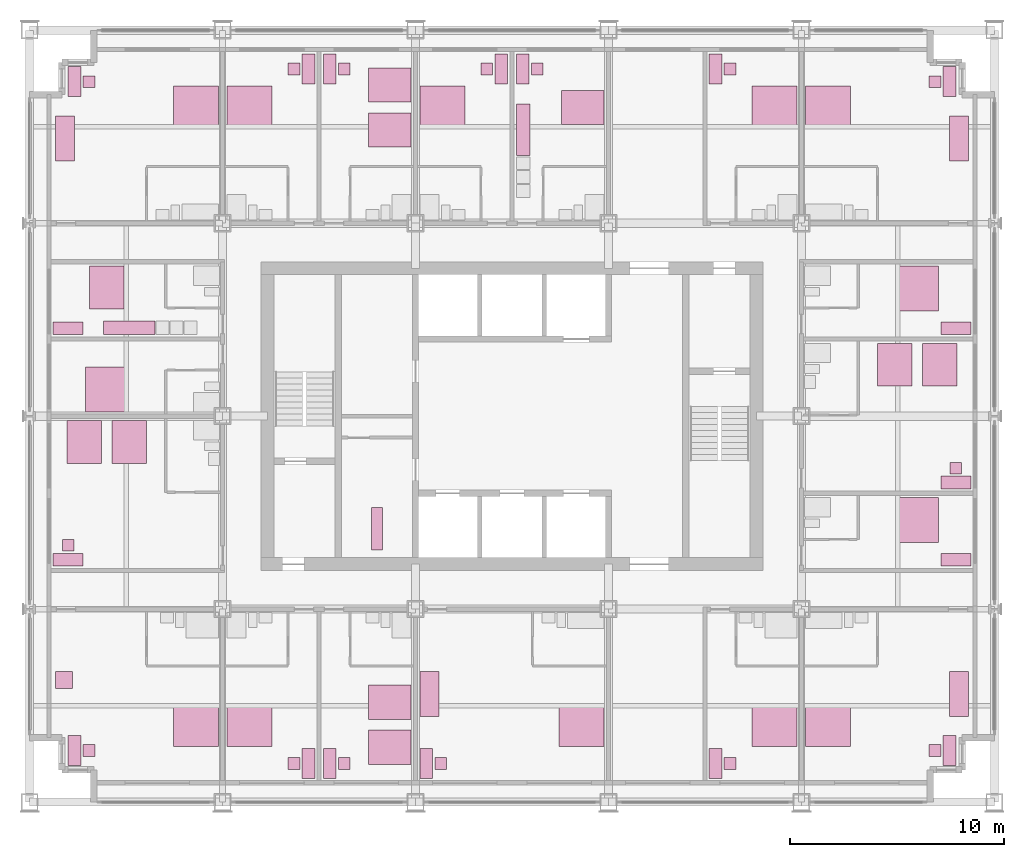
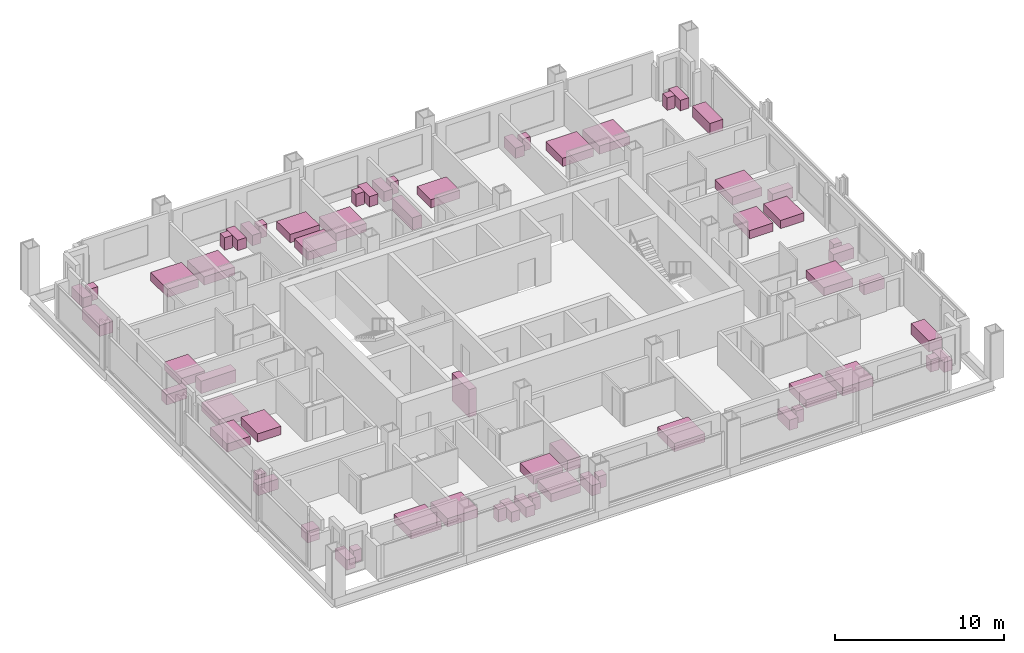
# One storey, part 17 of 17: 64 furniture elements.
"""IFC4 building model written with IfcOpenShell, lengths in metres."""

import ifcopenshell
import ifcopenshell.guid

model = None  # the IFC model being written
_history = None  # IfcOwnerHistory: only IFC2X3 demands one
_inside = {}  # id of a spatial element -> (the spatial element, [elements in it])
_under = {}  # id of a project, library or spatial element -> (it, [spatial elements below it])
_declared = {}  # id of a project -> (the project, [libraries it declares])
_typed = {}  # id of a type object -> (the type object, [elements of that type])
_made_of = {}  # id of a material, layer set ... -> (it, [elements and type objects made of it])


def new_model(schema):
    """Start an empty IFC model of exactly this schema.

    Asked for "IFC4X3", IfcOpenShell would pick the latest addendum, in which some entities
    have other attributes; the version numbers below select the first issue.
    IFC2X3 requires an IfcOwnerHistory on every rooted entity: one is made here for all.
    """
    global model, _history
    if schema == "IFC4X3":
        model = ifcopenshell.file(schema_version=(4, 3, 0, 0))
    else:
        model = ifcopenshell.file(schema=schema)
    _inside.clear()
    _under.clear()
    _declared.clear()
    _typed.clear()
    _made_of.clear()
    _history = None
    if model.schema == "IFC2X3":
        org = make("IfcOrganization", Name="unknown")
        user = make(
            "IfcPersonAndOrganization",
            ThePerson=make("IfcPerson", FamilyName="unknown"),
            TheOrganization=org,
        )
        app = make(
            "IfcApplication",
            ApplicationDeveloper=org,
            Version="unknown",
            ApplicationFullName="unknown",
            ApplicationIdentifier="unknown",
        )
        _history = make(
            "IfcOwnerHistory",
            OwningUser=user,
            OwningApplication=app,
            ChangeAction="ADDED",
            CreationDate=0,
        )
    return model


def make(cls, **values):
    """One entity of the class cls with the attributes given. An attribute that is None is left unset."""
    return model.create_entity(
        cls, **{name: value for name, value in values.items() if value is not None}
    )


def rooted(cls, **values):
    """An entity with a GlobalId (a new one), such as an element, a storey or a relation."""
    return make(cls, GlobalId=ifcopenshell.guid.new(), OwnerHistory=_history, **values)


def si_unit(unit_type, name, prefix=None):
    """IfcSIUnit, for example si_unit("LENGTHUNIT", "METRE", prefix="MILLI")."""
    return make("IfcSIUnit", UnitType=unit_type, Prefix=prefix, Name=name)


def assignment(units):
    """IfcUnitAssignment: the units of a project."""
    return None if units is None else make("IfcUnitAssignment", Units=units)


def point(xyz):
    """IfcCartesianPoint."""
    return None if xyz is None else make("IfcCartesianPoint", Coordinates=xyz)


def direction(xyz):
    """IfcDirection."""
    return None if xyz is None else make("IfcDirection", DirectionRatios=xyz)


def frame(location, z_axis=None, x_axis=None):
    """IfcAxis2Placement3D, a coordinate frame: its origin and axes. An axis left out is left unset."""
    return make(
        "IfcAxis2Placement3D",
        Location=point(location),
        Axis=direction(z_axis),
        RefDirection=direction(x_axis),
    )


def frame_2d(location, x_axis=None):
    """IfcAxis2Placement2D, a coordinate frame in the plane: its origin and x axis."""
    return make(
        "IfcAxis2Placement2D", Location=point(location), RefDirection=direction(x_axis)
    )


def origin():
    """The frame at (0, 0, 0) with its axes left unset."""
    return frame((0.0, 0.0, 0.0))


def origin_2d():
    """The frame at (0, 0) in the plane with its x axis left unset."""
    return frame_2d((0.0, 0.0))


def place(relative_to, where):
    """IfcLocalPlacement: puts the frame where relative to a parent placement (None: the world)."""
    return make(
        "IfcLocalPlacement", PlacementRelTo=relative_to, RelativePlacement=where
    )


def context(
    kind, dimensions, precision=None, world=None, true_north=None, identifier=None
):
    """IfcGeometricRepresentationContext, for example the 3D "Model" context."""
    return make(
        "IfcGeometricRepresentationContext",
        ContextIdentifier=identifier,
        ContextType=kind,
        CoordinateSpaceDimension=dimensions,
        Precision=precision,
        WorldCoordinateSystem=world,
        TrueNorth=true_north,
    )


def subcontext(parent, identifier, kind, view, scale=None):
    """IfcGeometricRepresentationSubContext, for example "Body" below "Model"."""
    return make(
        "IfcGeometricRepresentationSubContext",
        ContextIdentifier=identifier,
        ContextType=kind,
        ParentContext=parent,
        TargetScale=scale,
        TargetView=view,
    )


def project(units=None, contexts=None):
    """IfcProject with its units and contexts."""
    return rooted(
        "IfcProject",
        Name="project",
        RepresentationContexts=contexts,
        UnitsInContext=assignment(units),
    )


def spatial(cls, under=None, at=None, **own):
    """A site, building, storey or space (cls), placed at a placement, below another one or the project."""
    s = rooted(cls, ObjectPlacement=at, **own)
    if under is not None:
        _under.setdefault(under.id(), (under, []))[1].append(s)
    return s


def profile(cls, at=None, kind="AREA", **sizes):
    """A parametric profile (cls). Its sizes go by their IFC names, for example OverallWidth=200.0."""
    return make(cls, ProfileType=kind, Position=at, **sizes)


def rectangle(**sizes):
    """IfcRectangleProfileDef."""
    return profile("IfcRectangleProfileDef", **sizes)


def extrude(swept, where, along, depth):
    """IfcExtrudedAreaSolid: the profile swept, set in the frame where, extruded along a direction by depth."""
    return make(
        "IfcExtrudedAreaSolid",
        SweptArea=swept,
        Position=where,
        ExtrudedDirection=direction(along),
        Depth=depth,
    )


def shape(context_of_items, identifier, shape_type, items):
    """IfcShapeRepresentation: the items that make up one representation, for example the "Body"."""
    return make(
        "IfcShapeRepresentation",
        ContextOfItems=context_of_items,
        RepresentationIdentifier=identifier,
        RepresentationType=shape_type,
        Items=items,
    )


def made_of(thing, what):
    """Note that an element or type object is made of a material, layer set ...; save() writes the relation."""
    if what is not None:
        _made_of.setdefault(what.id(), (what, []))[1].append(thing)
    return thing


def element(
    cls,
    number,
    at=None,
    inside=None,
    cuts=None,
    type_object=None,
    material=None,
    context=None,
    identifier="Body",
    shape_type=None,
    held_by="IfcProductDefinitionShape",
    body=None,
    shapes=None,
    **own,
):
    """One element of the class cls, such as IfcWall. Its Tag is "e" and its number.

    at: its placement. inside: the storey or other place that contains it. cuts: it is an
    opening in that element (IfcRelVoidsElement). A single representation is given by context,
    identifier, shape_type and body (its items); several are given by shapes. held_by: the class
    of the entity that holds the representations. save() writes the other relations.
    """
    e = rooted(cls, Tag="e%d" % number, ObjectPlacement=at, **own)
    if body is not None:
        shapes = [shape(context, identifier, shape_type, body)]
    if shapes is not None:
        e.Representation = make(held_by, Representations=shapes)
    if inside is not None:
        _inside.setdefault(inside.id(), (inside, []))[1].append(e)
    if cuts is not None:
        rooted(
            "IfcRelVoidsElement", RelatingBuildingElement=cuts, RelatedOpeningElement=e
        )
    if type_object is not None:
        _typed.setdefault(type_object.id(), (type_object, []))[1].append(e)
    return made_of(e, material)


def aggregate(whole, parts):
    """IfcRelAggregates: a whole, such as a stair, and the parts it consists of."""
    return rooted("IfcRelAggregates", RelatingObject=whole, RelatedObjects=parts)


def save(model, path):
    """Write the relations noted so far, then the file.

    IfcRelAggregates (storeys below a building ...), IfcRelContainedInSpatialStructure (elements
    in a storey), IfcRelDefinesByType, IfcRelAssociatesMaterial and IfcRelDeclares: one each for
    every whole, place, type object, material and project.
    """
    for whole, parts in _under.values():
        aggregate(whole, parts)
    for where, things in _inside.values():
        rooted(
            "IfcRelContainedInSpatialStructure",
            RelatedElements=things,
            RelatingStructure=where,
        )
    for kind, things in _typed.values():
        rooted("IfcRelDefinesByType", RelatedObjects=things, RelatingType=kind)
    for what, things in _made_of.values():
        rooted("IfcRelAssociatesMaterial", RelatedObjects=things, RelatingMaterial=what)
    for by, libraries in _declared.values():
        rooted("IfcRelDeclares", RelatingContext=by, RelatedDefinitions=libraries)
    model.write(path)


model = new_model("IFC4")

# Units and contexts
model_context = context("Model", 3, precision=1e-05, world=origin(), true_north=direction((0.0, 1.0)))
body_context = subcontext(model_context, "Body", "Model", "MODEL_VIEW")
ifc_project = project(units=[si_unit("LENGTHUNIT", "METRE"), si_unit("AREAUNIT", "SQUARE_METRE"), si_unit("VOLUMEUNIT", "CUBIC_METRE"), si_unit("PLANEANGLEUNIT", "RADIAN"), si_unit("MASSUNIT", "GRAM", prefix="KILO")], contexts=[model_context])

# Site, building, storey
site_placement = place(None, origin())
site = spatial("IfcSite", under=ifc_project, at=site_placement, CompositionType="ELEMENT")
building_placement = place(site_placement, origin())
building = spatial("IfcBuilding", under=site, at=building_placement, Name="Loomwork Tower", CompositionType="ELEMENT")
storey_placement = place(building_placement, frame((0.0, 0.0, 141.800048828125)))
storey = spatial("IfcBuildingStorey", under=building, at=storey_placement, Name="L38", CompositionType="ELEMENT", Elevation=141.800048828125)

# Furniture
furniture_1_placement = place(storey_placement, frame((7.75, 3.60009765625, 0.0), z_axis=(0.0, 0.0, 1.0), x_axis=(1.0, 0.0, 0.0)))
element("IfcFurniture", 1, at=furniture_1_placement, inside=storey, Name="King bed L38", PredefinedType="BED", context=body_context, shape_type="SweptSolid", body=[
    extrude(rectangle(XDim=2.10009765625, YDim=2.0, at=origin_2d()), origin(), (0.0, 0.0, 1.0), 0.60009765625),
])
furniture_2_placement = place(storey_placement, frame((2.10009765625, 2.39990234375, 0.0), z_axis=(0.0, 0.0, 1.0), x_axis=(1.0, 0.0, 0.0)))
element("IfcFurniture", 2, at=furniture_2_placement, inside=storey, Name="Writing desk L38", PredefinedType="DESK", context=body_context, shape_type="SweptSolid", body=[
    extrude(rectangle(XDim=0.60009765625, YDim=1.39990234375, at=origin_2d()), origin(), (0.0, 0.0, 1.0), 0.75),
])
furniture_3_placement = place(storey_placement, frame((2.77490234375, 2.39990234375, 0.0), z_axis=(0.0, 0.0, 1.0), x_axis=(1.0, 0.0, 0.0)))
element("IfcFurniture", 3, at=furniture_3_placement, inside=storey, Name="Desk chair L38", PredefinedType="CHAIR", context=body_context, shape_type="SweptSolid", body=[
    extrude(rectangle(XDim=0.550048828125, YDim=0.550048828125, at=origin_2d()), origin(), (0.0, 0.0, 1.0), 0.89990234375),
])
furniture_4_placement = place(storey_placement, frame((1.60009765625, 5.699951171875, 0.0), z_axis=(0.0, 0.0, 1.0), x_axis=(1.0, 0.0, 0.0)))
element("IfcFurniture", 4, at=furniture_4_placement, inside=storey, Name="Lounge armchair L38", PredefinedType="CHAIR", context=body_context, shape_type="SweptSolid", body=[
    extrude(rectangle(XDim=0.800048828125, YDim=0.800048828125, at=origin_2d()), origin(), (0.0, 0.0, 1.0), 0.85009765625),
])
furniture_5_placement = place(storey_placement, frame((10.25, 3.60009765625, 0.0), z_axis=(0.0, 0.0, 1.0), x_axis=(1.0, 0.0, 0.0)))
element("IfcFurniture", 5, at=furniture_5_placement, inside=storey, Name="King bed L38", PredefinedType="BED", context=body_context, shape_type="SweptSolid", body=[
    extrude(rectangle(XDim=2.10009765625, YDim=2.0, at=origin_2d()), origin(), (0.0, 0.0, 1.0), 0.60009765625),
])
furniture_6_placement = place(storey_placement, frame((13.0, 1.800048828125, 0.0), z_axis=(0.0, 0.0, 1.0), x_axis=(1.0, 0.0, 0.0)))
element("IfcFurniture", 6, at=furniture_6_placement, inside=storey, Name="Writing desk L38", PredefinedType="DESK", context=body_context, shape_type="SweptSolid", body=[
    extrude(rectangle(XDim=0.60009765625, YDim=1.39990234375, at=origin_2d()), origin(), (0.0, 0.0, 1.0), 0.75),
])
furniture_7_placement = place(storey_placement, frame((12.324951171875, 1.800048828125, 0.0), z_axis=(0.0, 0.0, 1.0), x_axis=(1.0, 0.0, 0.0)))
element("IfcFurniture", 7, at=furniture_7_placement, inside=storey, Name="Desk chair L38", PredefinedType="CHAIR", context=body_context, shape_type="SweptSolid", body=[
    extrude(rectangle(XDim=0.550048828125, YDim=0.550048828125, at=origin_2d()), origin(), (0.0, 0.0, 1.0), 0.89990234375),
])
for number, where, z_axis, x_axis, name in (
    (8, (16.800048828125, 4.64990234375, 0.0), (0.0, 0.0, 1.0), (1.0, 0.0, 0.0), "Queen bed L38"),
    (9, (16.800048828125, 2.550048828125, 0.0), (0.0, 0.0, 1.0), (1.0, 0.0, 0.0), "Queen bed L38"),
):
    element("IfcFurniture", number, at=place(storey_placement, frame(where, z_axis=z_axis, x_axis=x_axis)), inside=storey, Name=name, PredefinedType="BED", context=body_context, shape_type="SweptSolid", body=[
        extrude(rectangle(XDim=2.0, YDim=1.60009765625, at=origin_2d()), origin(), (0.0, 0.0, 1.0), 0.60009765625),
    ])
furniture_8_placement = place(storey_placement, frame((14.0, 1.800048828125, 0.0), z_axis=(0.0, 0.0, 1.0), x_axis=(1.0, 0.0, 0.0)))
element("IfcFurniture", 10, at=furniture_8_placement, inside=storey, Name="Writing desk L38", PredefinedType="DESK", context=body_context, shape_type="SweptSolid", body=[
    extrude(rectangle(XDim=0.60009765625, YDim=1.39990234375, at=origin_2d()), origin(), (0.0, 0.0, 1.0), 0.75),
])
furniture_9_placement = place(storey_placement, frame((14.675048828125, 1.800048828125, 0.0), z_axis=(0.0, 0.0, 1.0), x_axis=(1.0, 0.0, 0.0)))
element("IfcFurniture", 11, at=furniture_9_placement, inside=storey, Name="Desk chair L38", PredefinedType="CHAIR", context=body_context, shape_type="SweptSolid", body=[
    extrude(rectangle(XDim=0.550048828125, YDim=0.550048828125, at=origin_2d()), origin(), (0.0, 0.0, 1.0), 0.89990234375),
])
furniture_10_placement = place(storey_placement, frame((25.75, 3.60009765625, 0.0), z_axis=(0.0, 0.0, 1.0), x_axis=(1.0, 0.0, 0.0)))
element("IfcFurniture", 12, at=furniture_10_placement, inside=storey, Name="King bed L38", PredefinedType="BED", context=body_context, shape_type="SweptSolid", body=[
    extrude(rectangle(XDim=2.10009765625, YDim=2.0, at=origin_2d()), origin(), (0.0, 0.0, 1.0), 0.60009765625),
])
furniture_11_placement = place(storey_placement, frame((18.5, 1.800048828125, 0.0), z_axis=(0.0, 0.0, 1.0), x_axis=(1.0, 0.0, 0.0)))
element("IfcFurniture", 13, at=furniture_11_placement, inside=storey, Name="Writing desk L38", PredefinedType="DESK", context=body_context, shape_type="SweptSolid", body=[
    extrude(rectangle(XDim=0.60009765625, YDim=1.39990234375, at=origin_2d()), origin(), (0.0, 0.0, 1.0), 0.75),
])
furniture_12_placement = place(storey_placement, frame((19.175048828125, 1.800048828125, 0.0), z_axis=(0.0, 0.0, 1.0), x_axis=(1.0, 0.0, 0.0)))
element("IfcFurniture", 14, at=furniture_12_placement, inside=storey, Name="Desk chair L38", PredefinedType="CHAIR", context=body_context, shape_type="SweptSolid", body=[
    extrude(rectangle(XDim=0.550048828125, YDim=0.550048828125, at=origin_2d()), origin(), (0.0, 0.0, 1.0), 0.89990234375),
])
furniture_13_placement = place(storey_placement, frame((18.64990234375, 5.050048828125, 0.0), z_axis=(0.0, 0.0, 1.0), x_axis=(1.0, 0.0, 0.0)))
element("IfcFurniture", 15, at=furniture_13_placement, inside=storey, Name="Sofa L38", PredefinedType="SOFA", context=body_context, shape_type="SweptSolid", body=[
    extrude(rectangle(XDim=0.89990234375, YDim=2.10009765625, at=origin_2d()), origin(), (0.0, 0.0, 1.0), 0.800048828125),
])
furniture_14_placement = place(storey_placement, frame((34.75, 3.60009765625, 0.0), z_axis=(0.0, 0.0, 1.0), x_axis=(1.0, 0.0, 0.0)))
element("IfcFurniture", 16, at=furniture_14_placement, inside=storey, Name="King bed L38", PredefinedType="BED", context=body_context, shape_type="SweptSolid", body=[
    extrude(rectangle(XDim=2.10009765625, YDim=2.0, at=origin_2d()), origin(), (0.0, 0.0, 1.0), 0.60009765625),
])
furniture_15_placement = place(storey_placement, frame((32.0, 1.800048828125, 0.0), z_axis=(0.0, 0.0, 1.0), x_axis=(1.0, 0.0, 0.0)))
element("IfcFurniture", 17, at=furniture_15_placement, inside=storey, Name="Writing desk L38", PredefinedType="DESK", context=body_context, shape_type="SweptSolid", body=[
    extrude(rectangle(XDim=0.60009765625, YDim=1.39990234375, at=origin_2d()), origin(), (0.0, 0.0, 1.0), 0.75),
])
furniture_16_placement = place(storey_placement, frame((32.675048828125, 1.800048828125, 0.0), z_axis=(0.0, 0.0, 1.0), x_axis=(1.0, 0.0, 0.0)))
element("IfcFurniture", 18, at=furniture_16_placement, inside=storey, Name="Desk chair L38", PredefinedType="CHAIR", context=body_context, shape_type="SweptSolid", body=[
    extrude(rectangle(XDim=0.550048828125, YDim=0.550048828125, at=origin_2d()), origin(), (0.0, 0.0, 1.0), 0.89990234375),
])
furniture_17_placement = place(storey_placement, frame((37.25, 3.60009765625, 0.0), z_axis=(0.0, 0.0, 1.0), x_axis=(1.0, 0.0, 0.0)))
element("IfcFurniture", 19, at=furniture_17_placement, inside=storey, Name="King bed L38", PredefinedType="BED", context=body_context, shape_type="SweptSolid", body=[
    extrude(rectangle(XDim=2.10009765625, YDim=2.0, at=origin_2d()), origin(), (0.0, 0.0, 1.0), 0.60009765625),
])
furniture_18_placement = place(storey_placement, frame((42.89990234375, 2.39990234375, 0.0), z_axis=(0.0, 0.0, 1.0), x_axis=(1.0, 0.0, 0.0)))
element("IfcFurniture", 20, at=furniture_18_placement, inside=storey, Name="Writing desk L38", PredefinedType="DESK", context=body_context, shape_type="SweptSolid", body=[
    extrude(rectangle(XDim=0.60009765625, YDim=1.39990234375, at=origin_2d()), origin(), (0.0, 0.0, 1.0), 0.75),
])
furniture_19_placement = place(storey_placement, frame((42.22509765625, 2.39990234375, 0.0), z_axis=(0.0, 0.0, 1.0), x_axis=(1.0, 0.0, 0.0)))
element("IfcFurniture", 21, at=furniture_19_placement, inside=storey, Name="Desk chair L38", PredefinedType="CHAIR", context=body_context, shape_type="SweptSolid", body=[
    extrude(rectangle(XDim=0.550048828125, YDim=0.550048828125, at=origin_2d()), origin(), (0.0, 0.0, 1.0), 0.89990234375),
])
furniture_20_placement = place(storey_placement, frame((43.35009765625, 5.050048828125, 0.0), z_axis=(0.0, 0.0, 1.0), x_axis=(1.0, 0.0, 0.0)))
element("IfcFurniture", 22, at=furniture_20_placement, inside=storey, Name="Sofa L38", PredefinedType="SOFA", context=body_context, shape_type="SweptSolid", body=[
    extrude(rectangle(XDim=0.89990234375, YDim=2.10009765625, at=origin_2d()), origin(), (0.0, 0.0, 1.0), 0.800048828125),
])
furniture_21_placement = place(storey_placement, frame((7.75, 32.39990234375, 0.0), z_axis=(0.0, 0.0, 1.0), x_axis=(1.0, 0.0, 0.0)))
element("IfcFurniture", 23, at=furniture_21_placement, inside=storey, Name="King bed L38", PredefinedType="BED", context=body_context, shape_type="SweptSolid", body=[
    extrude(rectangle(XDim=2.10009765625, YDim=2.0, at=origin_2d()), origin(), (0.0, 0.0, 1.0), 0.60009765625),
])
furniture_22_placement = place(storey_placement, frame((2.10009765625, 33.60009765625, 0.0), z_axis=(0.0, 0.0, 1.0), x_axis=(1.0, 0.0, 0.0)))
element("IfcFurniture", 24, at=furniture_22_placement, inside=storey, Name="Writing desk L38", PredefinedType="DESK", context=body_context, shape_type="SweptSolid", body=[
    extrude(rectangle(XDim=0.60009765625, YDim=1.39990234375, at=origin_2d()), origin(), (0.0, 0.0, 1.0), 0.75),
])
furniture_23_placement = place(storey_placement, frame((2.77490234375, 33.60009765625, 0.0), z_axis=(0.0, 0.0, 1.0), x_axis=(1.0, 0.0, 0.0)))
element("IfcFurniture", 25, at=furniture_23_placement, inside=storey, Name="Desk chair L38", PredefinedType="CHAIR", context=body_context, shape_type="SweptSolid", body=[
    extrude(rectangle(XDim=0.550048828125, YDim=0.550048828125, at=origin_2d()), origin(), (0.0, 0.0, 1.0), 0.89990234375),
])
furniture_24_placement = place(storey_placement, frame((1.64990234375, 30.949951171875, 0.0), z_axis=(0.0, 0.0, 1.0), x_axis=(1.0, 0.0, 0.0)))
element("IfcFurniture", 26, at=furniture_24_placement, inside=storey, Name="Sofa L38", PredefinedType="SOFA", context=body_context, shape_type="SweptSolid", body=[
    extrude(rectangle(XDim=0.89990234375, YDim=2.10009765625, at=origin_2d()), origin(), (0.0, 0.0, 1.0), 0.800048828125),
])
furniture_25_placement = place(storey_placement, frame((10.25, 32.39990234375, 0.0), z_axis=(0.0, 0.0, 1.0), x_axis=(1.0, 0.0, 0.0)))
element("IfcFurniture", 27, at=furniture_25_placement, inside=storey, Name="King bed L38", PredefinedType="BED", context=body_context, shape_type="SweptSolid", body=[
    extrude(rectangle(XDim=2.10009765625, YDim=2.0, at=origin_2d()), origin(), (0.0, 0.0, 1.0), 0.60009765625),
])
furniture_26_placement = place(storey_placement, frame((13.0, 34.199951171875, 0.0), z_axis=(0.0, 0.0, 1.0), x_axis=(1.0, 0.0, 0.0)))
element("IfcFurniture", 28, at=furniture_26_placement, inside=storey, Name="Writing desk L38", PredefinedType="DESK", context=body_context, shape_type="SweptSolid", body=[
    extrude(rectangle(XDim=0.60009765625, YDim=1.39990234375, at=origin_2d()), origin(), (0.0, 0.0, 1.0), 0.75),
])
furniture_27_placement = place(storey_placement, frame((12.324951171875, 34.199951171875, 0.0), z_axis=(0.0, 0.0, 1.0), x_axis=(1.0, 0.0, 0.0)))
element("IfcFurniture", 29, at=furniture_27_placement, inside=storey, Name="Desk chair L38", PredefinedType="CHAIR", context=body_context, shape_type="SweptSolid", body=[
    extrude(rectangle(XDim=0.550048828125, YDim=0.550048828125, at=origin_2d()), origin(), (0.0, 0.0, 1.0), 0.89990234375),
])
for number, where, z_axis, x_axis, name in (
    (30, (16.800048828125, 31.35009765625, 0.0), (0.0, 0.0, 1.0), (1.0, 0.0, 0.0), "Queen bed L38"),
    (31, (16.800048828125, 33.449951171875, 0.0), (0.0, 0.0, 1.0), (1.0, 0.0, 0.0), "Queen bed L38"),
):
    element("IfcFurniture", number, at=place(storey_placement, frame(where, z_axis=z_axis, x_axis=x_axis)), inside=storey, Name=name, PredefinedType="BED", context=body_context, shape_type="SweptSolid", body=[
        extrude(rectangle(XDim=2.0, YDim=1.60009765625, at=origin_2d()), origin(), (0.0, 0.0, 1.0), 0.60009765625),
    ])
furniture_28_placement = place(storey_placement, frame((14.0, 34.199951171875, 0.0), z_axis=(0.0, 0.0, 1.0), x_axis=(1.0, 0.0, 0.0)))
element("IfcFurniture", 32, at=furniture_28_placement, inside=storey, Name="Writing desk L38", PredefinedType="DESK", context=body_context, shape_type="SweptSolid", body=[
    extrude(rectangle(XDim=0.60009765625, YDim=1.39990234375, at=origin_2d()), origin(), (0.0, 0.0, 1.0), 0.75),
])
furniture_29_placement = place(storey_placement, frame((14.675048828125, 34.199951171875, 0.0), z_axis=(0.0, 0.0, 1.0), x_axis=(1.0, 0.0, 0.0)))
element("IfcFurniture", 33, at=furniture_29_placement, inside=storey, Name="Desk chair L38", PredefinedType="CHAIR", context=body_context, shape_type="SweptSolid", body=[
    extrude(rectangle(XDim=0.550048828125, YDim=0.550048828125, at=origin_2d()), origin(), (0.0, 0.0, 1.0), 0.89990234375),
])
furniture_30_placement = place(storey_placement, frame((19.25, 32.39990234375, 0.0), z_axis=(0.0, 0.0, 1.0), x_axis=(1.0, 0.0, 0.0)))
element("IfcFurniture", 34, at=furniture_30_placement, inside=storey, Name="King bed L38", PredefinedType="BED", context=body_context, shape_type="SweptSolid", body=[
    extrude(rectangle(XDim=2.10009765625, YDim=2.0, at=origin_2d()), origin(), (0.0, 0.0, 1.0), 0.60009765625),
])
furniture_31_placement = place(storey_placement, frame((22.0, 34.199951171875, 0.0), z_axis=(0.0, 0.0, 1.0), x_axis=(1.0, 0.0, 0.0)))
element("IfcFurniture", 35, at=furniture_31_placement, inside=storey, Name="Writing desk L38", PredefinedType="DESK", context=body_context, shape_type="SweptSolid", body=[
    extrude(rectangle(XDim=0.60009765625, YDim=1.39990234375, at=origin_2d()), origin(), (0.0, 0.0, 1.0), 0.75),
])
furniture_32_placement = place(storey_placement, frame((21.324951171875, 34.199951171875, 0.0), z_axis=(0.0, 0.0, 1.0), x_axis=(1.0, 0.0, 0.0)))
element("IfcFurniture", 36, at=furniture_32_placement, inside=storey, Name="Desk chair L38", PredefinedType="CHAIR", context=body_context, shape_type="SweptSolid", body=[
    extrude(rectangle(XDim=0.550048828125, YDim=0.550048828125, at=origin_2d()), origin(), (0.0, 0.0, 1.0), 0.89990234375),
])
furniture_33_placement = place(storey_placement, frame((25.800048828125, 32.39990234375, 0.0), z_axis=(0.0, 0.0, 1.0), x_axis=(1.0, 0.0, 0.0)))
element("IfcFurniture", 37, at=furniture_33_placement, inside=storey, Name="Queen bed L38", PredefinedType="BED", context=body_context, shape_type="SweptSolid", body=[
    extrude(rectangle(XDim=2.0, YDim=1.60009765625, at=origin_2d()), origin(), (0.0, 0.0, 1.0), 0.60009765625),
])
furniture_34_placement = place(storey_placement, frame((23.0, 34.199951171875, 0.0), z_axis=(0.0, 0.0, 1.0), x_axis=(1.0, 0.0, 0.0)))
element("IfcFurniture", 38, at=furniture_34_placement, inside=storey, Name="Writing desk L38", PredefinedType="DESK", context=body_context, shape_type="SweptSolid", body=[
    extrude(rectangle(XDim=0.60009765625, YDim=1.39990234375, at=origin_2d()), origin(), (0.0, 0.0, 1.0), 0.75),
])
furniture_35_placement = place(storey_placement, frame((23.675048828125, 34.199951171875, 0.0), z_axis=(0.0, 0.0, 1.0), x_axis=(1.0, 0.0, 0.0)))
element("IfcFurniture", 39, at=furniture_35_placement, inside=storey, Name="Desk chair L38", PredefinedType="CHAIR", context=body_context, shape_type="SweptSolid", body=[
    extrude(rectangle(XDim=0.550048828125, YDim=0.550048828125, at=origin_2d()), origin(), (0.0, 0.0, 1.0), 0.89990234375),
])
furniture_36_placement = place(storey_placement, frame((23.02490234375, 31.35009765625, 0.0), z_axis=(0.0, 0.0, 1.0), x_axis=(1.0, 0.0, 0.0)))
element("IfcFurniture", 40, at=furniture_36_placement, inside=storey, Name="Kitchenette counter L38", ObjectType="KITCHENETTE", PredefinedType="USERDEFINED", context=body_context, shape_type="SweptSolid", body=[
    extrude(rectangle(XDim=0.64990234375, YDim=2.39990234375, at=origin_2d()), origin(), (0.0, 0.0, 1.0), 0.89990234375),
])
furniture_37_placement = place(storey_placement, frame((34.75, 32.39990234375, 0.0), z_axis=(0.0, 0.0, 1.0), x_axis=(1.0, 0.0, 0.0)))
element("IfcFurniture", 41, at=furniture_37_placement, inside=storey, Name="King bed L38", PredefinedType="BED", context=body_context, shape_type="SweptSolid", body=[
    extrude(rectangle(XDim=2.10009765625, YDim=2.0, at=origin_2d()), origin(), (0.0, 0.0, 1.0), 0.60009765625),
])
furniture_38_placement = place(storey_placement, frame((32.0, 34.199951171875, 0.0), z_axis=(0.0, 0.0, 1.0), x_axis=(1.0, 0.0, 0.0)))
element("IfcFurniture", 42, at=furniture_38_placement, inside=storey, Name="Writing desk L38", PredefinedType="DESK", context=body_context, shape_type="SweptSolid", body=[
    extrude(rectangle(XDim=0.60009765625, YDim=1.39990234375, at=origin_2d()), origin(), (0.0, 0.0, 1.0), 0.75),
])
furniture_39_placement = place(storey_placement, frame((32.675048828125, 34.199951171875, 0.0), z_axis=(0.0, 0.0, 1.0), x_axis=(1.0, 0.0, 0.0)))
element("IfcFurniture", 43, at=furniture_39_placement, inside=storey, Name="Desk chair L38", PredefinedType="CHAIR", context=body_context, shape_type="SweptSolid", body=[
    extrude(rectangle(XDim=0.550048828125, YDim=0.550048828125, at=origin_2d()), origin(), (0.0, 0.0, 1.0), 0.89990234375),
])
furniture_40_placement = place(storey_placement, frame((37.25, 32.39990234375, 0.0), z_axis=(0.0, 0.0, 1.0), x_axis=(1.0, 0.0, 0.0)))
element("IfcFurniture", 44, at=furniture_40_placement, inside=storey, Name="King bed L38", PredefinedType="BED", context=body_context, shape_type="SweptSolid", body=[
    extrude(rectangle(XDim=2.10009765625, YDim=2.0, at=origin_2d()), origin(), (0.0, 0.0, 1.0), 0.60009765625),
])
furniture_41_placement = place(storey_placement, frame((42.89990234375, 33.60009765625, 0.0), z_axis=(0.0, 0.0, 1.0), x_axis=(1.0, 0.0, 0.0)))
element("IfcFurniture", 45, at=furniture_41_placement, inside=storey, Name="Writing desk L38", PredefinedType="DESK", context=body_context, shape_type="SweptSolid", body=[
    extrude(rectangle(XDim=0.60009765625, YDim=1.39990234375, at=origin_2d()), origin(), (0.0, 0.0, 1.0), 0.75),
])
furniture_42_placement = place(storey_placement, frame((42.22509765625, 33.60009765625, 0.0), z_axis=(0.0, 0.0, 1.0), x_axis=(1.0, 0.0, 0.0)))
element("IfcFurniture", 46, at=furniture_42_placement, inside=storey, Name="Desk chair L38", PredefinedType="CHAIR", context=body_context, shape_type="SweptSolid", body=[
    extrude(rectangle(XDim=0.550048828125, YDim=0.550048828125, at=origin_2d()), origin(), (0.0, 0.0, 1.0), 0.89990234375),
])
furniture_43_placement = place(storey_placement, frame((43.35009765625, 30.949951171875, 0.0), z_axis=(0.0, 0.0, 1.0), x_axis=(1.0, 0.0, 0.0)))
element("IfcFurniture", 47, at=furniture_43_placement, inside=storey, Name="Sofa L38", PredefinedType="SOFA", context=body_context, shape_type="SweptSolid", body=[
    extrude(rectangle(XDim=0.89990234375, YDim=2.10009765625, at=origin_2d()), origin(), (0.0, 0.0, 1.0), 0.800048828125),
])
for number, where, z_axis, x_axis, name in (
    (48, (4.64990234375, 16.800048828125, 0.0), (0.0, 0.0, 1.0), (1.0, 0.0, 0.0), "Queen bed L38"),
    (49, (2.550048828125, 16.800048828125, 0.0), (0.0, 0.0, 1.0), (1.0, 0.0, 0.0), "Queen bed L38"),
):
    element("IfcFurniture", number, at=place(storey_placement, frame(where, z_axis=z_axis, x_axis=x_axis)), inside=storey, Name=name, PredefinedType="BED", context=body_context, shape_type="SweptSolid", body=[
        extrude(rectangle(XDim=1.60009765625, YDim=2.0, at=origin_2d()), origin(), (0.0, 0.0, 1.0), 0.60009765625),
    ])
furniture_44_placement = place(storey_placement, frame((1.800048828125, 11.300048828125, 0.0), z_axis=(0.0, 0.0, 1.0), x_axis=(1.0, 0.0, 0.0)))
element("IfcFurniture", 50, at=furniture_44_placement, inside=storey, Name="Writing desk L38", PredefinedType="DESK", context=body_context, shape_type="SweptSolid", body=[
    extrude(rectangle(XDim=1.39990234375, YDim=0.60009765625, at=origin_2d()), origin(), (0.0, 0.0, 1.0), 0.75),
])
furniture_45_placement = place(storey_placement, frame((1.800048828125, 11.97509765625, 0.0), z_axis=(0.0, 0.0, 1.0), x_axis=(1.0, 0.0, 0.0)))
element("IfcFurniture", 51, at=furniture_45_placement, inside=storey, Name="Desk chair L38", PredefinedType="CHAIR", context=body_context, shape_type="SweptSolid", body=[
    extrude(rectangle(XDim=0.550048828125, YDim=0.550048828125, at=origin_2d()), origin(), (0.0, 0.0, 1.0), 0.89990234375),
])
furniture_46_placement = place(storey_placement, frame((3.60009765625, 19.25, 0.0), z_axis=(0.0, 0.0, 1.0), x_axis=(1.0, 0.0, 0.0)))
element("IfcFurniture", 52, at=furniture_46_placement, inside=storey, Name="King bed L38", PredefinedType="BED", context=body_context, shape_type="SweptSolid", body=[
    extrude(rectangle(XDim=2.0, YDim=2.10009765625, at=origin_2d()), origin(), (0.0, 0.0, 1.0), 0.60009765625),
])
furniture_47_placement = place(storey_placement, frame((3.60009765625, 24.0, 0.0), z_axis=(0.0, 0.0, 1.0), x_axis=(1.0, 0.0, 0.0)))
element("IfcFurniture", 53, at=furniture_47_placement, inside=storey, Name="Queen bed L38", PredefinedType="BED", context=body_context, shape_type="SweptSolid", body=[
    extrude(rectangle(XDim=1.60009765625, YDim=2.0, at=origin_2d()), origin(), (0.0, 0.0, 1.0), 0.60009765625),
])
furniture_48_placement = place(storey_placement, frame((1.800048828125, 22.10009765625, 0.0), z_axis=(0.0, 0.0, 1.0), x_axis=(1.0, 0.0, 0.0)))
element("IfcFurniture", 54, at=furniture_48_placement, inside=storey, Name="Writing desk L38", PredefinedType="DESK", context=body_context, shape_type="SweptSolid", body=[
    extrude(rectangle(XDim=1.39990234375, YDim=0.60009765625, at=origin_2d()), origin(), (0.0, 0.0, 1.0), 0.75),
])
furniture_49_placement = place(storey_placement, frame((4.64990234375, 22.125, 0.0), z_axis=(0.0, 0.0, 1.0), x_axis=(1.0, 0.0, 0.0)))
element("IfcFurniture", 55, at=furniture_49_placement, inside=storey, Name="Kitchenette counter L38", ObjectType="KITCHENETTE", PredefinedType="USERDEFINED", context=body_context, shape_type="SweptSolid", body=[
    extrude(rectangle(XDim=2.39990234375, YDim=0.64990234375, at=origin_2d()), origin(), (0.0, 0.0, 1.0), 0.89990234375),
])
furniture_50_placement = place(storey_placement, frame((41.39990234375, 13.14990234375, 0.0), z_axis=(0.0, 0.0, 1.0), x_axis=(1.0, 0.0, 0.0)))
element("IfcFurniture", 56, at=furniture_50_placement, inside=storey, Name="King bed L38", PredefinedType="BED", context=body_context, shape_type="SweptSolid", body=[
    extrude(rectangle(XDim=2.0, YDim=2.10009765625, at=origin_2d()), origin(), (0.0, 0.0, 1.0), 0.60009765625),
])
furniture_51_placement = place(storey_placement, frame((43.199951171875, 11.300048828125, 0.0), z_axis=(0.0, 0.0, 1.0), x_axis=(1.0, 0.0, 0.0)))
element("IfcFurniture", 57, at=furniture_51_placement, inside=storey, Name="Writing desk L38", PredefinedType="DESK", context=body_context, shape_type="SweptSolid", body=[
    extrude(rectangle(XDim=1.39990234375, YDim=0.60009765625, at=origin_2d()), origin(), (0.0, 0.0, 1.0), 0.75),
])
for number, where, z_axis, x_axis, name in (
    (58, (40.35009765625, 20.39990234375, 0.0), (0.0, 0.0, 1.0), (1.0, 0.0, 0.0), "Queen bed L38"),
    (59, (42.449951171875, 20.39990234375, 0.0), (0.0, 0.0, 1.0), (1.0, 0.0, 0.0), "Queen bed L38"),
):
    element("IfcFurniture", number, at=place(storey_placement, frame(where, z_axis=z_axis, x_axis=x_axis)), inside=storey, Name=name, PredefinedType="BED", context=body_context, shape_type="SweptSolid", body=[
        extrude(rectangle(XDim=1.60009765625, YDim=2.0, at=origin_2d()), origin(), (0.0, 0.0, 1.0), 0.60009765625),
    ])
furniture_52_placement = place(storey_placement, frame((43.199951171875, 14.89990234375, 0.0), z_axis=(0.0, 0.0, 1.0), x_axis=(1.0, 0.0, 0.0)))
element("IfcFurniture", 60, at=furniture_52_placement, inside=storey, Name="Writing desk L38", PredefinedType="DESK", context=body_context, shape_type="SweptSolid", body=[
    extrude(rectangle(XDim=1.39990234375, YDim=0.60009765625, at=origin_2d()), origin(), (0.0, 0.0, 1.0), 0.75),
])
furniture_53_placement = place(storey_placement, frame((43.199951171875, 15.574951171875, 0.0), z_axis=(0.0, 0.0, 1.0), x_axis=(1.0, 0.0, 0.0)))
element("IfcFurniture", 61, at=furniture_53_placement, inside=storey, Name="Desk chair L38", PredefinedType="CHAIR", context=body_context, shape_type="SweptSolid", body=[
    extrude(rectangle(XDim=0.550048828125, YDim=0.550048828125, at=origin_2d()), origin(), (0.0, 0.0, 1.0), 0.89990234375),
])
furniture_54_placement = place(storey_placement, frame((41.39990234375, 23.949951171875, 0.0), z_axis=(0.0, 0.0, 1.0), x_axis=(1.0, 0.0, 0.0)))
element("IfcFurniture", 62, at=furniture_54_placement, inside=storey, Name="King bed L38", PredefinedType="BED", context=body_context, shape_type="SweptSolid", body=[
    extrude(rectangle(XDim=2.0, YDim=2.10009765625, at=origin_2d()), origin(), (0.0, 0.0, 1.0), 0.60009765625),
])
furniture_55_placement = place(storey_placement, frame((43.199951171875, 22.10009765625, 0.0), z_axis=(0.0, 0.0, 1.0), x_axis=(1.0, 0.0, 0.0)))
element("IfcFurniture", 63, at=furniture_55_placement, inside=storey, Name="Writing desk L38", PredefinedType="DESK", context=body_context, shape_type="SweptSolid", body=[
    extrude(rectangle(XDim=1.39990234375, YDim=0.60009765625, at=origin_2d()), origin(), (0.0, 0.0, 1.0), 0.75),
])
furniture_56_placement = place(storey_placement, frame((16.199951171875, 12.75, 0.0), z_axis=(0.0, 0.0, 1.0), x_axis=(1.0, 0.0, 0.0)))
element("IfcFurniture", 64, at=furniture_56_placement, inside=storey, Name="Linen shelving L38", PredefinedType="SHELF", context=body_context, shape_type="SweptSolid", body=[
    extrude(rectangle(XDim=0.5, YDim=2.0, at=origin_2d()), origin(), (0.0, 0.0, 1.0), 2.0),
])

save(model, "model.ifc")
